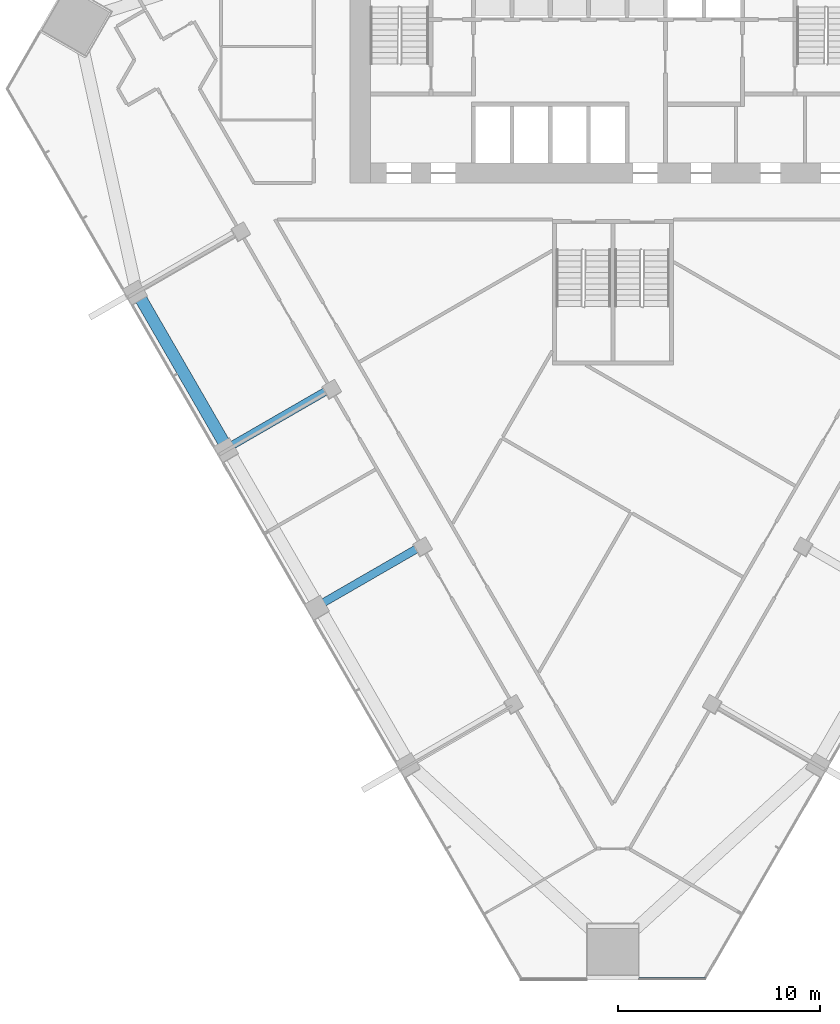
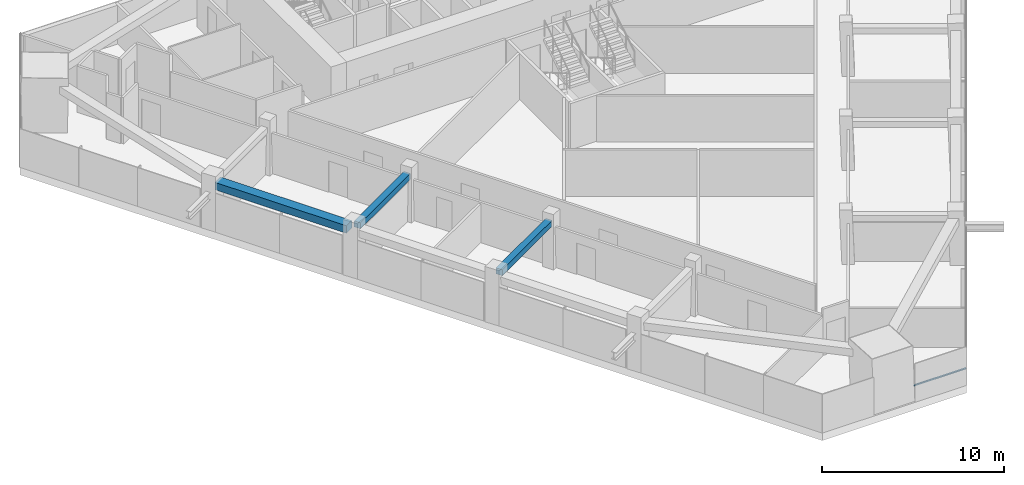
# One storey, part 3 of 13: 3 beams, 1 member, 1 element without a shape of its own.
"""IFC4 building model written with IfcOpenShell, lengths in metres."""

from ifc_helpers import new_model, si_unit, direction, frame, origin, origin_2d, place, context, subcontext, project, spatial, rectangle, extrude, material, layer, layer_set, material_profile, profile_set, type_object, element, aggregate, save


model = new_model("IFC4")

# Units and contexts
model_context = context("Model", 3, precision=1e-05, world=origin(), true_north=direction((0.0, 1.0)))
body_context = subcontext(model_context, "Body", "Model", "MODEL_VIEW")
ifc_project = project(units=[si_unit("LENGTHUNIT", "METRE"), si_unit("AREAUNIT", "SQUARE_METRE"), si_unit("VOLUMEUNIT", "CUBIC_METRE"), si_unit("PLANEANGLEUNIT", "RADIAN"), si_unit("MASSUNIT", "GRAM", prefix="KILO")], contexts=[model_context])

# Site, building, storey
site_placement = place(None, origin())
site = spatial("IfcSite", under=ifc_project, at=site_placement, CompositionType="ELEMENT")
building_placement = place(site_placement, origin())
building = spatial("IfcBuilding", under=site, at=building_placement, Name="Altiplano Prism Tower", CompositionType="ELEMENT")
storey_placement = place(building_placement, frame((0.0, 0.0, 66.60009765625)))
storey = spatial("IfcBuildingStorey", under=building, at=storey_placement, Name="L16", CompositionType="ELEMENT", Elevation=66.60009765625)

# Curtain wall, member
ifc_material_1 = material(Name="Aluminium and glass", Category="aluminium")
ifc_layer = layer(ifc_material_1, 0.303955078125)
ifc_layer_set = layer_set([ifc_layer], Name="Aluminium and glass")
curtain_wall_type = type_object("IfcCurtainWallType", Name="CW2 lounge-band unitised glazing", PredefinedType="NOTDEFINED", material=ifc_layer_set)
curtain_wall_placement = place(storey_placement, origin())
curtain_wall = element("IfcCurtainWall", 1, at=curtain_wall_placement, inside=storey, type_object=curtain_wall_type, Name="CW2 curtain wall south chamfer L16", PredefinedType="NOTDEFINED")
ifc_material_2 = material(Name="Aluminium", Category="aluminium")
ifc_material_profile_1 = material_profile(ifc_material_2, rectangle(XDim=0.06005859375, YDim=0.080078125, at=origin_2d()), Name="CW2 transom 80 x 60")
ifc_profile_set_1 = profile_set([ifc_material_profile_1], Name="Aluminium")
member_type = type_object("IfcMemberType", Name="CW2 transom 80 x 60", PredefinedType="USERDEFINED", material=ifc_profile_set_1)
member_placement = place(storey_placement, frame((86.300048828125, 53.049072265625, 1.099853515625), z_axis=(1.0, 0.0, 0.0), x_axis=(0.0, 1.0, 0.0)))
member = element("IfcMember", 2, at=member_placement, type_object=member_type, Name="CW2 transom", ObjectType="TRANSOM", PredefinedType="USERDEFINED", context=body_context, shape_type="SweptSolid", body=[
    extrude(rectangle(XDim=0.06005859375, YDim=0.080078125, at=origin_2d()), origin(), (0.0, 0.0, 1.0), 3.276611328125),
])
aggregate(curtain_wall, [member])

# Beams
ifc_material_3 = material(Name="Concrete C60/75", Category="concrete")
ifc_material_profile_2 = material_profile(ifc_material_3, rectangle(XDim=0.60009765625, YDim=0.5, at=origin_2d()), Name="Edge beam 600x500")
ifc_profile_set_2 = profile_set([ifc_material_profile_2], Name="Concrete C60/75")
beam_type_1 = type_object("IfcBeamType", Name="Edge beam 600x500", PredefinedType="SPANDREL", material=ifc_profile_set_2)
beam_placement = place(storey_placement, frame((61.578125, 86.793212890625, 2.849853515625), z_axis=(0.499992746786, -0.866029591389, 0.0), x_axis=(0.866029591389, 0.499992746786, 0.0)))
element("IfcBeam", 3, at=beam_placement, inside=storey, type_object=beam_type_1, Name="Edge beam P11-P12 L17", PredefinedType="SPANDREL", context=body_context, shape_type="SweptSolid", body=[
    extrude(rectangle(XDim=0.60009765625, YDim=0.5, at=origin_2d()), origin(), (0.0, 0.0, 1.0), 8.33984375),
])
ifc_material_profile_3 = material_profile(ifc_material_3, rectangle(XDim=0.39990234375, YDim=0.39990234375, at=origin_2d()), Name="Tie beam 400x400")
ifc_profile_set_3 = profile_set([ifc_material_profile_3], Name="Concrete C60/75")
beam_type_2 = type_object("IfcBeamType", Name="Tie beam 400x400", PredefinedType="BEAM", material=ifc_profile_set_3)
for number, where, z_axis, x_axis, name in (
    (4, (70.953369140625, 82.194580078125, 2.89990234375), (-0.866042665983, -0.499970099802, 0.0), (0.499970099802, -0.866042665983, 0.0), "Tie beam I12 L17"),
    (5, (75.453369140625, 74.400390625, 2.89990234375), (-0.866042665983, -0.499970099802, 0.0), (0.499970099802, -0.866042665983, 0.0), "Tie beam I13 L17"),
):
    element("IfcBeam", number, at=place(storey_placement, frame(where, z_axis=z_axis, x_axis=x_axis)), inside=storey, type_object=beam_type_2, Name=name, PredefinedType="BEAM", context=body_context, shape_type="SweptSolid", body=[
        extrude(rectangle(XDim=0.39990234375, YDim=0.39990234375, at=origin_2d()), origin(), (0.0, 0.0, 1.0), 5.489990234375),
    ])

save(model, "model.ifc")
